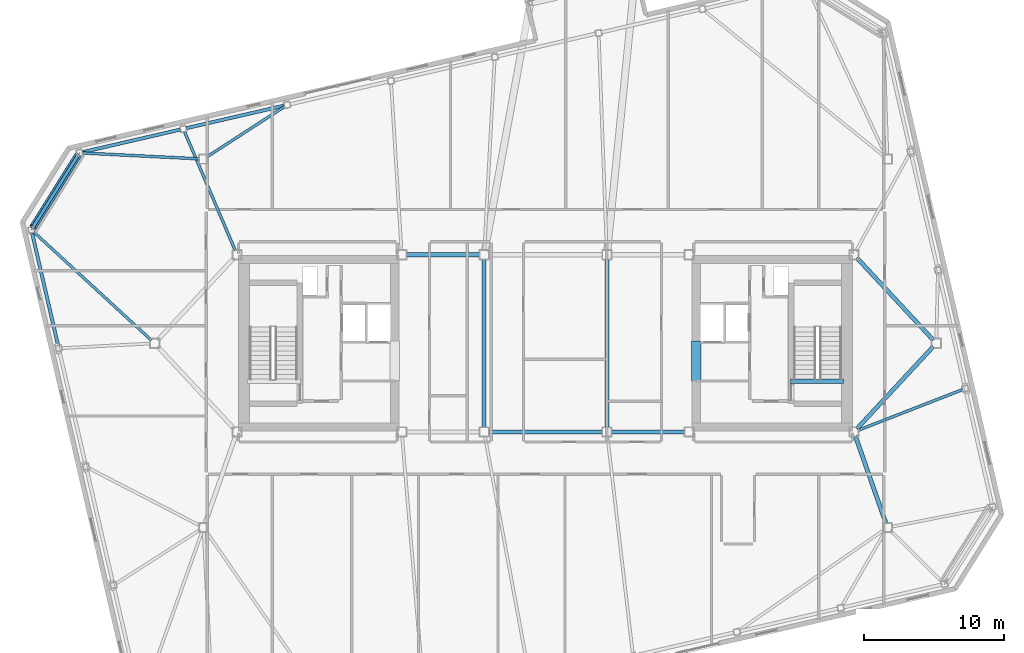
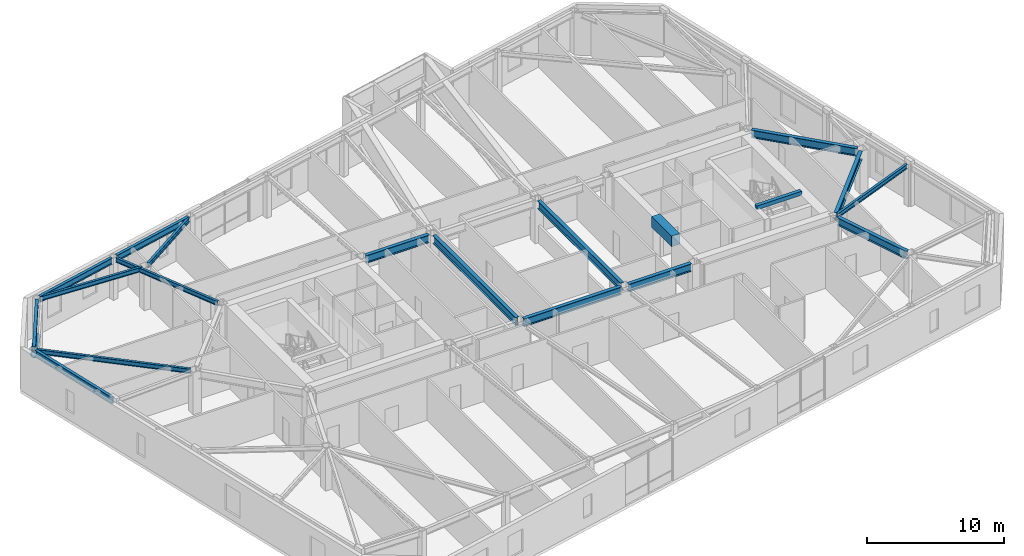
# One storey, part 12 of 24: 19 beams, 1 member.
"""IFC4 building model written with IfcOpenShell, lengths in metres."""

from ifc_helpers import new_model, si_unit, direction, frame, origin, origin_2d, place, context, subcontext, project, spatial, rectangle, hollow_circle, i_section, extrude, material, material_profile, profile_set, type_object, element, save


model = new_model("IFC4")

# Units and contexts
model_context = context("Model", 3, precision=1e-05, world=origin(), true_north=direction((0.0, 1.0)))
body_context = subcontext(model_context, "Body", "Model", "MODEL_VIEW")
ifc_project = project(units=[si_unit("LENGTHUNIT", "METRE"), si_unit("AREAUNIT", "SQUARE_METRE"), si_unit("VOLUMEUNIT", "CUBIC_METRE"), si_unit("PLANEANGLEUNIT", "RADIAN"), si_unit("MASSUNIT", "GRAM", prefix="KILO")], contexts=[model_context])

# Site, building, storey
site_placement = place(None, origin())
site = spatial("IfcSite", under=ifc_project, at=site_placement, CompositionType="ELEMENT")
building_placement = place(site_placement, origin())
building = spatial("IfcBuilding", under=site, at=building_placement, Name="Tavrogorsk Clinical Tower", CompositionType="ELEMENT")
storey_placement = place(building_placement, frame((0.0, 0.0, 309.0)))
storey = spatial("IfcBuildingStorey", under=building, at=storey_placement, Name="L72", CompositionType="ELEMENT", Elevation=309.0)

# Beam
ifc_material_1 = material(Name="Concrete B80", Category="concrete")
ifc_material_profile_1 = material_profile(ifc_material_1, rectangle(XDim=0.699951171875, YDim=0.949951171875, at=origin_2d()), Name="RC-CB-700x950")
ifc_profile_set_1 = profile_set([ifc_material_profile_1], Name="Concrete B80")
beam_type_1 = type_object("IfcBeamType", Name="CouplingBeam_RC700x950", PredefinedType="LINTEL", material=ifc_profile_set_1)
beam_1_placement = place(storey_placement, frame((10.800048828125, -2.75, 3.264892578125), z_axis=(0.0, 1.0, 0.0), x_axis=(-1.0, 0.0, 0.0)))
element("IfcBeam", 1, at=beam_1_placement, inside=storey, type_object=beam_type_1, Name="L72 Core East Coupling Beam", PredefinedType="LINTEL", context=body_context, shape_type="SweptSolid", body=[
    extrude(rectangle(XDim=0.699951171875, YDim=0.949951171875, at=origin_2d()), origin(), (0.0, 0.0, 1.0), 2.89990234375),
])

# Member
ifc_material_2 = material(Name="Structural steel S440", Category="steel")
ifc_material_profile_2 = material_profile(ifc_material_2, hollow_circle(Radius=0.25390625, WallThickness=0.02001953125, at=origin_2d()), Name="CHS-508x20")
ifc_profile_set_2 = profile_set([ifc_material_profile_2], Name="Structural steel S440")
member_type = type_object("IfcMemberType", Name="ExoBrace_CHS508", PredefinedType="BRACE", material=ifc_profile_set_2)
member_placement = place(storey_placement, frame((-33.501708984375, 13.4638671875, 0.393310546875), z_axis=(-0.485643868835, -0.777221605895, 0.400095748531), x_axis=(0.848056967697, -0.529905066536, 0.0)))
element("IfcMember", 2, at=member_placement, inside=storey, type_object=member_type, Name="L72 Corner Exoskeleton Brace N8-W1", PredefinedType="BRACE", context=body_context, shape_type="SweptSolid", body=[
    extrude(hollow_circle(Radius=0.25390625, WallThickness=0.02001953125, at=origin_2d()), origin(), (0.0, 0.0, 1.0), 6.63232421875),
])

# Beams
ifc_material_3 = material(Name="Structural steel S355", Category="steel")
ifc_material_profile_3 = material_profile(ifc_material_3, i_section(OverallWidth=0.199951171875, OverallDepth=0.39990234375, WebThickness=0.010498046875, FlangeThickness=0.01611328125, at=origin_2d()), Name="B-400x200x10.5x16")
ifc_profile_set_3 = profile_set([ifc_material_profile_3], Name="Structural steel S355")
beam_type_2 = type_object("IfcBeamType", Name="FloorBeam_B400", PredefinedType="BEAM", material=ifc_profile_set_3)
beam_2_placement = place(storey_placement, frame((-24.23974609375, 13.36865234375, 3.5400390625), z_axis=(0.839287867478, 0.543687295699, 0.0), x_axis=(-0.543687295699, 0.839287867478, 0.0)))
element("IfcBeam", 3, at=beam_2_placement, inside=storey, type_object=beam_type_2, Name="L72 Radial Floor Beam N6", PredefinedType="BEAM", context=body_context, shape_type="SweptSolid", body=[
    extrude(i_section(OverallWidth=0.199951171875, OverallDepth=0.39990234375, WebThickness=0.010498046875, FlangeThickness=0.01611328125, at=origin_2d()), origin(), (0.0, 0.0, 1.0), 6.592529296875),
])
beam_3_placement = place(storey_placement, frame((-22.2216796875, 6.635009765625, 3.5400390625), z_axis=(-0.392852744382, 0.919601392578, 0.0), x_axis=(-0.919601392578, -0.392852744382, 0.0)))
element("IfcBeam", 4, at=beam_3_placement, inside=storey, type_object=beam_type_2, Name="L72 Radial Floor Beam N7", PredefinedType="BEAM", context=body_context, shape_type="SweptSolid", body=[
    extrude(i_section(OverallWidth=0.199951171875, OverallDepth=0.39990234375, WebThickness=0.010498046875, FlangeThickness=0.01611328125, at=origin_2d()), origin(), (0.0, 0.0, 1.0), 9.25732421875),
])
beam_4_placement = place(storey_placement, frame((-24.8095703125, 13.215576171875, 3.5400390625), z_axis=(-0.998749933549, 0.049985700304, 0.0), x_axis=(-0.049985700304, -0.998749933549, 0.0)))
element("IfcBeam", 5, at=beam_4_placement, inside=storey, type_object=beam_type_2, Name="L72 Radial Floor Beam N8", PredefinedType="BEAM", context=body_context, shape_type="SweptSolid", body=[
    extrude(i_section(OverallWidth=0.199951171875, OverallDepth=0.39990234375, WebThickness=0.010498046875, FlangeThickness=0.01611328125, at=origin_2d()), origin(), (0.0, 0.0, 1.0), 8.35693359375),
])
beam_5_placement = place(storey_placement, frame((22.388916015625, -6.237548828125, 3.5400390625), z_axis=(0.931736989786, 0.363133834647, 0.0), x_axis=(-0.363133834647, 0.931736989786, 0.0)))
element("IfcBeam", 6, at=beam_5_placement, inside=storey, type_object=beam_type_2, Name="L72 Radial Floor Beam E2", PredefinedType="BEAM", context=body_context, shape_type="SweptSolid", body=[
    extrude(i_section(OverallWidth=0.199951171875, OverallDepth=0.39990234375, WebThickness=0.010498046875, FlangeThickness=0.01611328125, at=origin_2d()), origin(), (0.0, 0.0, 1.0), 8.01806640625),
])
beam_6_placement = place(storey_placement, frame((-28.228271484375, 0.2099609375, 3.5400390625), z_axis=(-0.735959452605, 0.677025615557, 0.0), x_axis=(-0.677025615557, -0.735959452605, 0.0)))
element("IfcBeam", 7, at=beam_6_placement, inside=storey, type_object=beam_type_2, Name="L72 Radial Floor Beam W1", PredefinedType="BEAM", context=body_context, shape_type="SweptSolid", body=[
    extrude(i_section(OverallWidth=0.199951171875, OverallDepth=0.39990234375, WebThickness=0.010498046875, FlangeThickness=0.01611328125, at=origin_2d()), origin(), (0.0, 0.0, 1.0), 11.462646484375),
])
ifc_material_4 = material(Name="Structural steel S390", Category="steel")
ifc_material_profile_4 = material_profile(ifc_material_4, i_section(OverallWidth=0.300048828125, OverallDepth=0.699951171875, WebThickness=0.01708984375, FlangeThickness=0.028076171875, at=origin_2d()), Name="B-700x300x17x28")
ifc_profile_set_4 = profile_set([ifc_material_profile_4], Name="Structural steel S390")
beam_type_3 = type_object("IfcBeamType", Name="PrimaryGirder_B700", PredefinedType="USERDEFINED", material=ifc_profile_set_4)
beam_7_placement = place(storey_placement, frame((-9.989990234375, 6.35009765625, 3.389892578125), z_axis=(1.0, 0.0, 0.0), x_axis=(0.0, 1.0, 0.0)))
element("IfcBeam", 8, at=beam_7_placement, inside=storey, type_object=beam_type_3, Name="L72 Primary Spine Girder MG-02", ObjectType="GIRDER", PredefinedType="USERDEFINED", context=body_context, shape_type="SweptSolid", body=[
    extrude(i_section(OverallWidth=0.300048828125, OverallDepth=0.699951171875, WebThickness=0.01708984375, FlangeThickness=0.028076171875, at=origin_2d()), origin(), (0.0, 0.0, 1.0), 5.280029296875),
])
beam_8_placement = place(storey_placement, frame((-4.090087890625, -6.35009765625, 3.389892578125), z_axis=(1.0, 0.0, 0.0), x_axis=(0.0, 1.0, 0.0)))
element("IfcBeam", 9, at=beam_8_placement, inside=storey, type_object=beam_type_3, Name="L72 Primary Spine Girder MG-03", ObjectType="GIRDER", PredefinedType="USERDEFINED", context=body_context, shape_type="SweptSolid", body=[
    extrude(i_section(OverallWidth=0.300048828125, OverallDepth=0.699951171875, WebThickness=0.01708984375, FlangeThickness=0.028076171875, at=origin_2d()), origin(), (0.0, 0.0, 1.0), 8.18017578125),
])
beam_9_placement = place(storey_placement, frame((4.7099609375, -6.35009765625, 3.389892578125), z_axis=(1.0, 0.0, 0.0), x_axis=(0.0, 1.0, 0.0)))
element("IfcBeam", 10, at=beam_9_placement, inside=storey, type_object=beam_type_3, Name="L72 Primary Spine Girder MG-05", ObjectType="GIRDER", PredefinedType="USERDEFINED", context=body_context, shape_type="SweptSolid", body=[
    extrude(i_section(OverallWidth=0.300048828125, OverallDepth=0.699951171875, WebThickness=0.01708984375, FlangeThickness=0.028076171875, at=origin_2d()), origin(), (0.0, 0.0, 1.0), 5.280029296875),
])
for number, where, z_axis, x_axis, name in (
    (11, (-4.39990234375, -6.0400390625, 3.389892578125), (0.0, 1.0, 0.0), (-1.0, 0.0, 0.0), "L72 Primary Spine Girder MG-07"),
    (12, (4.39990234375, -6.0400390625, 3.389892578125), (0.0, 1.0, 0.0), (-1.0, 0.0, 0.0), "L72 Primary Spine Girder MG-08"),
):
    element("IfcBeam", number, at=place(storey_placement, frame(where, z_axis=z_axis, x_axis=x_axis)), inside=storey, type_object=beam_type_3, Name=name, ObjectType="GIRDER", PredefinedType="USERDEFINED", context=body_context, shape_type="SweptSolid", body=[
        extrude(i_section(OverallWidth=0.300048828125, OverallDepth=0.699951171875, WebThickness=0.01708984375, FlangeThickness=0.028076171875, at=origin_2d()), origin(), (0.0, 0.0, 1.0), 12.080078125),
    ])
beam_10_placement = place(storey_placement, frame((24.3974609375, -12.907470703125, 3.389892578125), z_axis=(-0.330666578092, 0.943747643246, 0.0), x_axis=(-0.943747643246, -0.330666578092, 0.0)))
element("IfcBeam", 13, at=beam_10_placement, inside=storey, type_object=beam_type_3, Name="L72 Spine Link Girder OPG-2", ObjectType="GIRDER", PredefinedType="USERDEFINED", context=body_context, shape_type="SweptSolid", body=[
    extrude(i_section(OverallWidth=0.300048828125, OverallDepth=0.699951171875, WebThickness=0.01708984375, FlangeThickness=0.028076171875, at=origin_2d()), origin(), (0.0, 0.0, 1.0), 6.638427734375),
])
for number, where, z_axis, x_axis, name in (
    (14, (27.7890625, -0.22705078125, 3.389892578125), (-0.680677963005, -0.732582767119, 0.0), (0.732582767119, -0.680677963005, 0.0), "L72 Spine Link Girder OPG-7"),
    (15, (27.7890625, 0.22705078125, 3.389892578125), (-0.680677963005, 0.732582767119, 0.0), (-0.732582767119, -0.680677963005, 0.0), "L72 Spine Link Girder OPG-8"),
):
    element("IfcBeam", number, at=place(storey_placement, frame(where, z_axis=z_axis, x_axis=x_axis)), inside=storey, type_object=beam_type_3, Name=name, ObjectType="GIRDER", PredefinedType="USERDEFINED", context=body_context, shape_type="SweptSolid", body=[
        extrude(i_section(OverallWidth=0.300048828125, OverallDepth=0.699951171875, WebThickness=0.01708984375, FlangeThickness=0.028076171875, at=origin_2d()), origin(), (0.0, 0.0, 1.0), 8.0478515625),
    ])
ifc_material_5 = material(Name="Structural steel S390", Category="steel")
ifc_material_profile_5 = material_profile(ifc_material_5, i_section(OverallWidth=0.239990234375, OverallDepth=0.550048828125, WebThickness=0.013916015625, FlangeThickness=0.02197265625, at=origin_2d()), Name="B-550x240x14x22")
ifc_profile_set_5 = profile_set([ifc_material_profile_5], Name="Structural steel S390")
beam_type_4 = type_object("IfcBeamType", Name="SpandrelBeam_B550", PredefinedType="SPANDREL", material=ifc_profile_set_5)
beam_11_placement = place(storey_placement, frame((-18.73828125, 17.027099609375, 3.465087890625), z_axis=(-0.97437684326, -0.224921691527, 0.0), x_axis=(0.224921691527, -0.97437684326, 0.0)))
element("IfcBeam", 16, at=beam_11_placement, inside=storey, type_object=beam_type_4, Name="L72 Perimeter Spandrel N6-N7", PredefinedType="SPANDREL", context=body_context, shape_type="SweptSolid", body=[
    extrude(i_section(OverallWidth=0.239990234375, OverallDepth=0.550048828125, WebThickness=0.013916015625, FlangeThickness=0.02197265625, at=origin_2d()), origin(), (0.0, 0.0, 1.0), 7.168212890625),
])
beam_12_placement = place(storey_placement, frame((-26.177001953125, 15.309814453125, 3.465087890625), z_axis=(-0.974369378592, -0.224954026551, 0.0), x_axis=(0.224954026551, -0.974369378592, 0.0)))
element("IfcBeam", 17, at=beam_12_placement, inside=storey, type_object=beam_type_4, Name="L72 Perimeter Spandrel N7-N8", PredefinedType="SPANDREL", context=body_context, shape_type="SweptSolid", body=[
    extrude(i_section(OverallWidth=0.239990234375, OverallDepth=0.550048828125, WebThickness=0.013916015625, FlangeThickness=0.02197265625, at=origin_2d()), origin(), (0.0, 0.0, 1.0), 7.16845703125),
])
beam_13_placement = place(storey_placement, frame((-33.511962890625, 13.447265625, 3.465087890625), z_axis=(-0.529933531413, -0.848039180866, 0.0), x_axis=(0.848039180866, -0.529933531413, 0.0)))
element("IfcBeam", 18, at=beam_13_placement, inside=storey, type_object=beam_type_4, Name="L72 Perimeter Spandrel N8-W1", PredefinedType="SPANDREL", context=body_context, shape_type="SweptSolid", body=[
    extrude(i_section(OverallWidth=0.239990234375, OverallDepth=0.550048828125, WebThickness=0.013916015625, FlangeThickness=0.02197265625, at=origin_2d()), origin(), (0.0, 0.0, 1.0), 6.039306640625),
])
beam_14_placement = place(storey_placement, frame((-36.783447265625, 7.901123046875, 3.465087890625), z_axis=(0.224950345141, -0.974370228517, 0.0), x_axis=(0.974370228517, 0.224950345141, 0.0)))
element("IfcBeam", 19, at=beam_14_placement, inside=storey, type_object=beam_type_4, Name="L72 Perimeter Spandrel W1-W2", PredefinedType="SPANDREL", context=body_context, shape_type="SweptSolid", body=[
    extrude(i_section(OverallWidth=0.239990234375, OverallDepth=0.550048828125, WebThickness=0.013916015625, FlangeThickness=0.02197265625, at=origin_2d()), origin(), (0.0, 0.0, 1.0), 8.243896484375),
])
ifc_material_6 = material(Name="Concrete B60", Category="concrete")
ifc_material_profile_6 = material_profile(ifc_material_6, rectangle(XDim=0.300048828125, YDim=0.35009765625, at=origin_2d()), Name="RC-SHB-300x350")
ifc_profile_set_6 = profile_set([ifc_material_profile_6], Name="Concrete B60")
beam_type_5 = type_object("IfcBeamType", Name="StairHeaderBeam_RC300x350", PredefinedType="BEAM", material=ifc_profile_set_6)
beam_15_placement = place(storey_placement, frame((17.550048828125, -2.719970703125, 3.824951171875), z_axis=(1.0, 0.0, 0.0), x_axis=(0.0, 1.0, 0.0)))
element("IfcBeam", 20, at=beam_15_placement, inside=storey, type_object=beam_type_5, Name="L73 ST-E Landing Header Beam", PredefinedType="BEAM", context=body_context, shape_type="SweptSolid", body=[
    extrude(rectangle(XDim=0.300048828125, YDim=0.35009765625, at=origin_2d()), origin(), (0.0, 0.0, 1.0), 3.800048828125),
])

save(model, "model.ifc")
